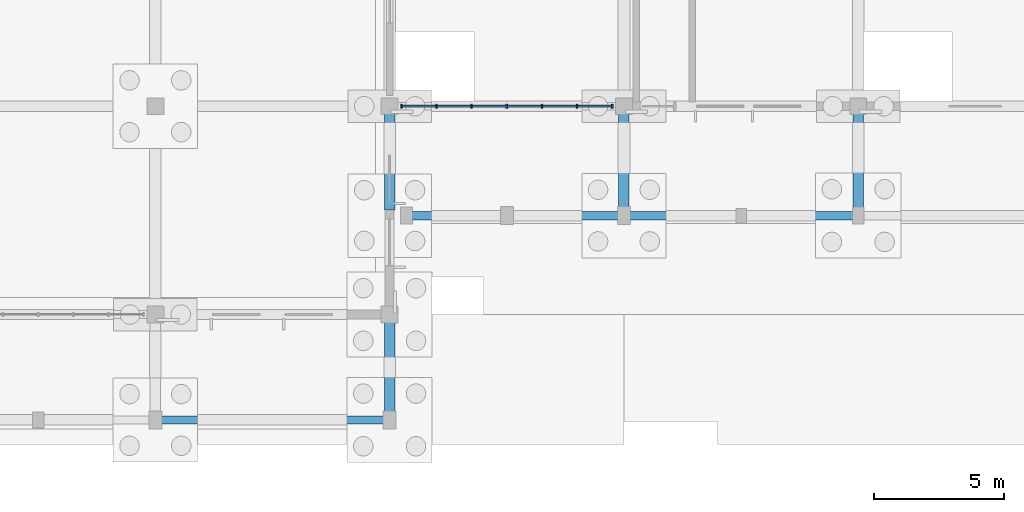
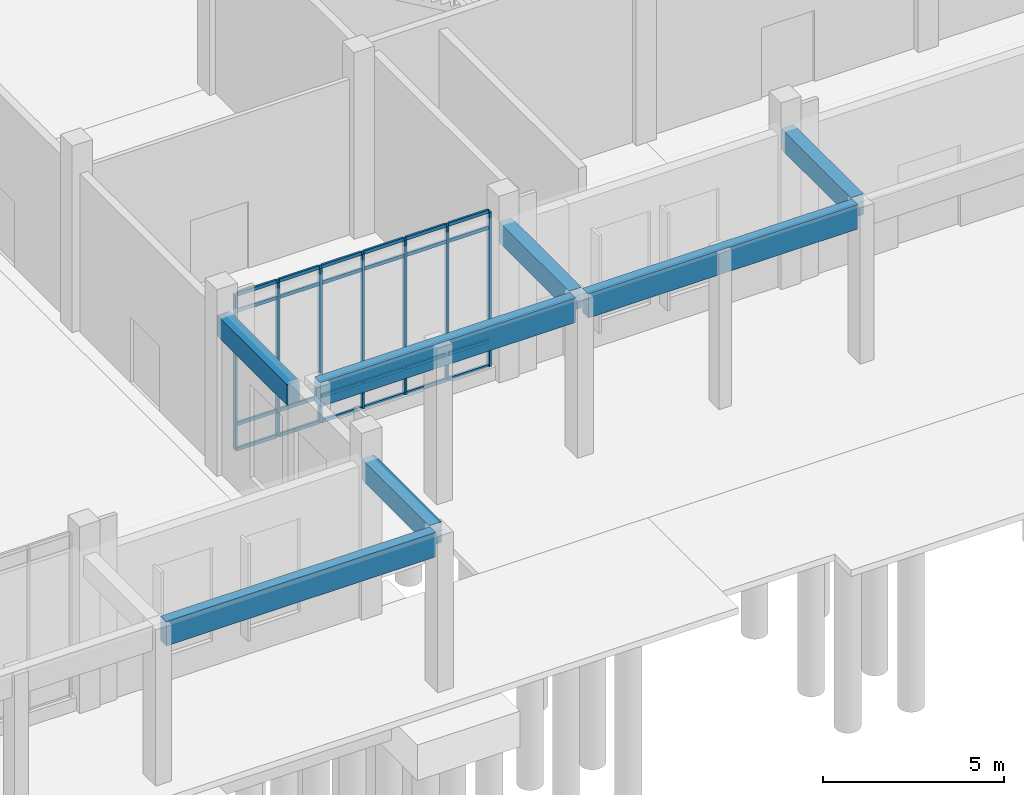
# One storey, part 39 of 99: 31 members, 7 beams, 1 element without a shape of its own.
"""IFC4 building model written with IfcOpenShell, lengths in metres."""

from ifc_helpers import new_model, si_unit, direction, frame, origin, origin_2d, place, context, subcontext, project, spatial, rectangle, extrude, material, layer, layer_set, material_profile, profile_set, type_object, element, aggregate, save


model = new_model("IFC4")

# Units and contexts
model_context = context("Model", 3, precision=1e-05, world=origin(), true_north=direction((0.0, 1.0)))
body_context = subcontext(model_context, "Body", "Model", "MODEL_VIEW")
ifc_project = project(units=[si_unit("LENGTHUNIT", "METRE"), si_unit("AREAUNIT", "SQUARE_METRE"), si_unit("VOLUMEUNIT", "CUBIC_METRE"), si_unit("PLANEANGLEUNIT", "RADIAN"), si_unit("MASSUNIT", "GRAM", prefix="KILO")], contexts=[model_context])

# Site, building, storey
site_placement = place(None, origin())
site = spatial("IfcSite", under=ifc_project, at=site_placement, CompositionType="ELEMENT")
building_placement = place(site_placement, origin())
building = spatial("IfcBuilding", under=site, at=building_placement, Name="Zacnel Wholesale Market", CompositionType="ELEMENT")
storey_placement = place(building_placement, origin())
storey = spatial("IfcBuildingStorey", under=building, at=storey_placement, Name="L01", CompositionType="ELEMENT", Elevation=0.0)

# Beams
ifc_material_1 = material(Name="Precast concrete C45/55", Category="concrete")
ifc_material_profile_1 = material_profile(ifc_material_1, rectangle(XDim=0.39990234375, YDim=0.699951171875, at=origin_2d()), Name="PG 400x700")
ifc_profile_set_1 = profile_set([ifc_material_profile_1], Name="Precast concrete C45/55")
beam_type_1 = type_object("IfcBeamType", Name="BM-PG700", PredefinedType="BEAM", material=ifc_profile_set_1)
beam_1_placement = place(storey_placement, frame((99.0, -3.830078125, 4.925048828125), z_axis=(0.0, 1.0, 0.0), x_axis=(-1.0, 0.0, 0.0)))
element("IfcBeam", 1, at=beam_1_placement, inside=storey, type_object=beam_type_1, Name="Boulevard colonnade cross-beam 06", PredefinedType="BEAM", context=body_context, shape_type="SweptSolid", body=[
    extrude(rectangle(XDim=0.39990234375, YDim=0.699951171875, at=origin_2d()), origin(), (0.0, 0.0, 1.0), 3.7099609375),
])
for number, where, z_axis, x_axis, name in (
    (2, (99.0, 4.02001953125, 4.925048828125), (0.0, 1.0, 0.0), (-1.0, 0.0, 0.0), "Boulevard colonnade cross-beam 01"),
    (3, (108.0, 4.02001953125, 4.925048828125), (0.0, 1.0, 0.0), (-1.0, 0.0, 0.0), "Boulevard colonnade cross-beam 02"),
    (4, (117.0, 4.02001953125, 4.925048828125), (0.0, 1.0, 0.0), (-1.0, 0.0, 0.0), "Boulevard colonnade cross-beam 03"),
):
    element("IfcBeam", number, at=place(storey_placement, frame(where, z_axis=z_axis, x_axis=x_axis)), inside=storey, type_object=beam_type_1, Name=name, PredefinedType="BEAM", context=body_context, shape_type="SweptSolid", body=[
        extrude(rectangle(XDim=0.39990234375, YDim=0.699951171875, at=origin_2d()), origin(), (0.0, 0.0, 1.0), 3.85986328125),
    ])
ifc_material_2 = material(Name="Precast concrete C45/55", Category="concrete")
ifc_material_profile_2 = material_profile(ifc_material_2, rectangle(XDim=0.320068359375, YDim=0.820068359375, at=origin_2d()), Name="SP 320x820")
ifc_profile_set_2 = profile_set([ifc_material_profile_2], Name="Precast concrete C45/55")
beam_type_2 = type_object("IfcBeamType", Name="BM-SP820", PredefinedType="SPANDREL", material=ifc_profile_set_2)
beam_2_placement = place(storey_placement, frame((90.199951171875, -4.050048828125, 4.864990234375), z_axis=(1.0, 0.0, 0.0), x_axis=(0.0, 1.0, 0.0)))
element("IfcBeam", 5, at=beam_2_placement, inside=storey, type_object=beam_type_2, Name="Boulevard colonnade architrave 05", PredefinedType="SPANDREL", context=body_context, shape_type="SweptSolid", body=[
    extrude(rectangle(XDim=0.320068359375, YDim=0.820068359375, at=origin_2d()), origin(), (0.0, 0.0, 1.0), 8.60009765625),
])
beam_3_placement = place(storey_placement, frame((99.64990234375, 3.800048828125, 4.864990234375), z_axis=(1.0, 0.0, 0.0), x_axis=(0.0, 1.0, 0.0)))
element("IfcBeam", 6, at=beam_3_placement, inside=storey, type_object=beam_type_2, Name="Boulevard colonnade architrave 01", PredefinedType="SPANDREL", context=body_context, shape_type="SweptSolid", body=[
    extrude(rectangle(XDim=0.320068359375, YDim=0.820068359375, at=origin_2d()), origin(), (0.0, 0.0, 1.0), 8.150146484375),
])
beam_4_placement = place(storey_placement, frame((108.199951171875, 3.800048828125, 4.864990234375), z_axis=(1.0, 0.0, 0.0), x_axis=(0.0, 1.0, 0.0)))
element("IfcBeam", 7, at=beam_4_placement, inside=storey, type_object=beam_type_2, Name="Boulevard colonnade architrave 02", PredefinedType="SPANDREL", context=body_context, shape_type="SweptSolid", body=[
    extrude(rectangle(XDim=0.320068359375, YDim=0.820068359375, at=origin_2d()), origin(), (0.0, 0.0, 1.0), 8.60009765625),
])

# Curtain wall, members
ifc_material_3 = material(Name="Anodised aluminium", Category="aluminium")
ifc_layer = layer(ifc_material_3, 0.159912109375)
ifc_layer_set = layer_set([ifc_layer], Name="Anodised aluminium")
curtain_wall_type = type_object("IfcCurtainWallType", Name="CW-TERR-3900", PredefinedType="NOTDEFINED", material=ifc_layer_set)
curtain_wall_placement = place(storey_placement, origin())
curtain_wall = element("IfcCurtainWall", 8, at=curtain_wall_placement, inside=storey, type_object=curtain_wall_type, Name="Curtain wall ENV-R2-CW-L01-002", PredefinedType="NOTDEFINED")
ifc_material_4 = material(Name="Anodised aluminium", Category="aluminium")
ifc_material_profile_3 = material_profile(ifc_material_4, rectangle(XDim=0.06494140625, YDim=0.14990234375, at=origin_2d()), Name="AW-MULLION 65x150")
ifc_profile_set_3 = profile_set([ifc_material_profile_3], Name="Anodised aluminium")
member_type_1 = type_object("IfcMemberType", Name="CWM-MUL-05", PredefinedType="MULLION", material=ifc_profile_set_3)
member_1_placement = place(storey_placement, frame((99.449951171875, 8.0, 0.449951171875), z_axis=(0.0, 0.0, 1.0), x_axis=(1.0, 0.0, 0.0)))
member_1 = element("IfcMember", 9, at=member_1_placement, type_object=member_type_1, Name="ENV-R2-CW-L01-002 mullion 01", PredefinedType="MULLION", context=body_context, shape_type="SweptSolid", body=[
    extrude(rectangle(XDim=0.06494140625, YDim=0.14990234375, at=origin_2d()), origin(), (0.0, 0.0, 1.0), 5.219970703125),
])
member_2_placement = place(storey_placement, frame((100.800048828125, 8.0, 0.449951171875), z_axis=(0.0, 0.0, 1.0), x_axis=(1.0, 0.0, 0.0)))
member_2 = element("IfcMember", 10, at=member_2_placement, type_object=member_type_1, Name="ENV-R2-CW-L01-002 mullion 02", PredefinedType="MULLION", context=body_context, shape_type="SweptSolid", body=[
    extrude(rectangle(XDim=0.06494140625, YDim=0.14990234375, at=origin_2d()), origin(), (0.0, 0.0, 1.0), 5.219970703125),
])
member_3_placement = place(storey_placement, frame((102.14990234375, 8.0, 0.449951171875), z_axis=(0.0, 0.0, 1.0), x_axis=(1.0, 0.0, 0.0)))
member_3 = element("IfcMember", 11, at=member_3_placement, type_object=member_type_1, Name="ENV-R2-CW-L01-002 mullion 03", PredefinedType="MULLION", context=body_context, shape_type="SweptSolid", body=[
    extrude(rectangle(XDim=0.06494140625, YDim=0.14990234375, at=origin_2d()), origin(), (0.0, 0.0, 1.0), 5.219970703125),
])
member_4_placement = place(storey_placement, frame((103.5, 8.0, 0.449951171875), z_axis=(0.0, 0.0, 1.0), x_axis=(1.0, 0.0, 0.0)))
member_4 = element("IfcMember", 12, at=member_4_placement, type_object=member_type_1, Name="ENV-R2-CW-L01-002 mullion 04", PredefinedType="MULLION", context=body_context, shape_type="SweptSolid", body=[
    extrude(rectangle(XDim=0.06494140625, YDim=0.14990234375, at=origin_2d()), origin(), (0.0, 0.0, 1.0), 5.219970703125),
])
member_5_placement = place(storey_placement, frame((104.85009765625, 8.0, 0.449951171875), z_axis=(0.0, 0.0, 1.0), x_axis=(1.0, 0.0, 0.0)))
member_5 = element("IfcMember", 13, at=member_5_placement, type_object=member_type_1, Name="ENV-R2-CW-L01-002 mullion 05", PredefinedType="MULLION", context=body_context, shape_type="SweptSolid", body=[
    extrude(rectangle(XDim=0.06494140625, YDim=0.14990234375, at=origin_2d()), origin(), (0.0, 0.0, 1.0), 5.219970703125),
])
member_6_placement = place(storey_placement, frame((106.199951171875, 8.0, 0.449951171875), z_axis=(0.0, 0.0, 1.0), x_axis=(1.0, 0.0, 0.0)))
member_6 = element("IfcMember", 14, at=member_6_placement, type_object=member_type_1, Name="ENV-R2-CW-L01-002 mullion 06", PredefinedType="MULLION", context=body_context, shape_type="SweptSolid", body=[
    extrude(rectangle(XDim=0.06494140625, YDim=0.14990234375, at=origin_2d()), origin(), (0.0, 0.0, 1.0), 5.219970703125),
])
member_7_placement = place(storey_placement, frame((107.550048828125, 8.0, 0.449951171875), z_axis=(0.0, 0.0, 1.0), x_axis=(1.0, 0.0, 0.0)))
member_7 = element("IfcMember", 15, at=member_7_placement, type_object=member_type_1, Name="ENV-R2-CW-L01-002 mullion 07", PredefinedType="MULLION", context=body_context, shape_type="SweptSolid", body=[
    extrude(rectangle(XDim=0.06494140625, YDim=0.14990234375, at=origin_2d()), origin(), (0.0, 0.0, 1.0), 5.219970703125),
])
ifc_material_5 = material(Name="Anodised aluminium", Category="aluminium")
ifc_material_profile_4 = material_profile(ifc_material_5, rectangle(XDim=0.06494140625, YDim=0.114990234375, at=origin_2d()), Name="AW-TRANSOM 65x115")
ifc_profile_set_4 = profile_set([ifc_material_profile_4], Name="Anodised aluminium")
member_type_2 = type_object("IfcMemberType", Name="CWM-TRN-05", PredefinedType="USERDEFINED", material=ifc_profile_set_4)
member_8_placement = place(storey_placement, frame((99.485107421875, 8.0, 0.449951171875), z_axis=(1.0, 0.0, 0.0), x_axis=(0.0, 1.0, 0.0)))
member_8 = element("IfcMember", 16, at=member_8_placement, type_object=member_type_2, Name="ENV-R2-CW-L01-002 transom 1-1", ObjectType="TRANSOM", PredefinedType="USERDEFINED", context=body_context, shape_type="SweptSolid", body=[
    extrude(rectangle(XDim=0.06494140625, YDim=0.114990234375, at=origin_2d()), origin(), (0.0, 0.0, 1.0), 1.27978515625),
])
member_9_placement = place(storey_placement, frame((99.485107421875, 8.0, 1.300048828125), z_axis=(1.0, 0.0, 0.0), x_axis=(0.0, 1.0, 0.0)))
member_9 = element("IfcMember", 17, at=member_9_placement, type_object=member_type_2, Name="ENV-R2-CW-L01-002 transom 1-2", ObjectType="TRANSOM", PredefinedType="USERDEFINED", context=body_context, shape_type="SweptSolid", body=[
    extrude(rectangle(XDim=0.06494140625, YDim=0.114990234375, at=origin_2d()), origin(), (0.0, 0.0, 1.0), 1.27978515625),
])
member_10_placement = place(storey_placement, frame((99.485107421875, 8.0, 5.1201171875), z_axis=(1.0, 0.0, 0.0), x_axis=(0.0, 1.0, 0.0)))
member_10 = element("IfcMember", 18, at=member_10_placement, type_object=member_type_2, Name="ENV-R2-CW-L01-002 transom 1-3", ObjectType="TRANSOM", PredefinedType="USERDEFINED", context=body_context, shape_type="SweptSolid", body=[
    extrude(rectangle(XDim=0.06494140625, YDim=0.114990234375, at=origin_2d()), origin(), (0.0, 0.0, 1.0), 1.27978515625),
])
member_11_placement = place(storey_placement, frame((99.485107421875, 8.0, 5.669921875), z_axis=(1.0, 0.0, 0.0), x_axis=(0.0, 1.0, 0.0)))
member_11 = element("IfcMember", 19, at=member_11_placement, type_object=member_type_2, Name="ENV-R2-CW-L01-002 transom 1-4", ObjectType="TRANSOM", PredefinedType="USERDEFINED", context=body_context, shape_type="SweptSolid", body=[
    extrude(rectangle(XDim=0.06494140625, YDim=0.114990234375, at=origin_2d()), origin(), (0.0, 0.0, 1.0), 1.27978515625),
])
member_12_placement = place(storey_placement, frame((100.8349609375, 8.0, 0.449951171875), z_axis=(1.0, 0.0, 0.0), x_axis=(0.0, 1.0, 0.0)))
member_12 = element("IfcMember", 20, at=member_12_placement, type_object=member_type_2, Name="ENV-R2-CW-L01-002 transom 2-1", ObjectType="TRANSOM", PredefinedType="USERDEFINED", context=body_context, shape_type="SweptSolid", body=[
    extrude(rectangle(XDim=0.06494140625, YDim=0.114990234375, at=origin_2d()), origin(), (0.0, 0.0, 1.0), 1.280029296875),
])
member_13_placement = place(storey_placement, frame((100.8349609375, 8.0, 1.300048828125), z_axis=(1.0, 0.0, 0.0), x_axis=(0.0, 1.0, 0.0)))
member_13 = element("IfcMember", 21, at=member_13_placement, type_object=member_type_2, Name="ENV-R2-CW-L01-002 transom 2-2", ObjectType="TRANSOM", PredefinedType="USERDEFINED", context=body_context, shape_type="SweptSolid", body=[
    extrude(rectangle(XDim=0.06494140625, YDim=0.114990234375, at=origin_2d()), origin(), (0.0, 0.0, 1.0), 1.280029296875),
])
member_14_placement = place(storey_placement, frame((100.8349609375, 8.0, 5.1201171875), z_axis=(1.0, 0.0, 0.0), x_axis=(0.0, 1.0, 0.0)))
member_14 = element("IfcMember", 22, at=member_14_placement, type_object=member_type_2, Name="ENV-R2-CW-L01-002 transom 2-3", ObjectType="TRANSOM", PredefinedType="USERDEFINED", context=body_context, shape_type="SweptSolid", body=[
    extrude(rectangle(XDim=0.06494140625, YDim=0.114990234375, at=origin_2d()), origin(), (0.0, 0.0, 1.0), 1.280029296875),
])
member_15_placement = place(storey_placement, frame((100.8349609375, 8.0, 5.669921875), z_axis=(1.0, 0.0, 0.0), x_axis=(0.0, 1.0, 0.0)))
member_15 = element("IfcMember", 23, at=member_15_placement, type_object=member_type_2, Name="ENV-R2-CW-L01-002 transom 2-4", ObjectType="TRANSOM", PredefinedType="USERDEFINED", context=body_context, shape_type="SweptSolid", body=[
    extrude(rectangle(XDim=0.06494140625, YDim=0.114990234375, at=origin_2d()), origin(), (0.0, 0.0, 1.0), 1.280029296875),
])
member_16_placement = place(storey_placement, frame((102.18505859375, 8.0, 0.449951171875), z_axis=(1.0, 0.0, 0.0), x_axis=(0.0, 1.0, 0.0)))
member_16 = element("IfcMember", 24, at=member_16_placement, type_object=member_type_2, Name="ENV-R2-CW-L01-002 transom 3-1", ObjectType="TRANSOM", PredefinedType="USERDEFINED", context=body_context, shape_type="SweptSolid", body=[
    extrude(rectangle(XDim=0.06494140625, YDim=0.114990234375, at=origin_2d()), origin(), (0.0, 0.0, 1.0), 1.280029296875),
])
member_17_placement = place(storey_placement, frame((102.18505859375, 8.0, 1.300048828125), z_axis=(1.0, 0.0, 0.0), x_axis=(0.0, 1.0, 0.0)))
member_17 = element("IfcMember", 25, at=member_17_placement, type_object=member_type_2, Name="ENV-R2-CW-L01-002 transom 3-2", ObjectType="TRANSOM", PredefinedType="USERDEFINED", context=body_context, shape_type="SweptSolid", body=[
    extrude(rectangle(XDim=0.06494140625, YDim=0.114990234375, at=origin_2d()), origin(), (0.0, 0.0, 1.0), 1.280029296875),
])
member_18_placement = place(storey_placement, frame((102.18505859375, 8.0, 5.1201171875), z_axis=(1.0, 0.0, 0.0), x_axis=(0.0, 1.0, 0.0)))
member_18 = element("IfcMember", 26, at=member_18_placement, type_object=member_type_2, Name="ENV-R2-CW-L01-002 transom 3-3", ObjectType="TRANSOM", PredefinedType="USERDEFINED", context=body_context, shape_type="SweptSolid", body=[
    extrude(rectangle(XDim=0.06494140625, YDim=0.114990234375, at=origin_2d()), origin(), (0.0, 0.0, 1.0), 1.280029296875),
])
member_19_placement = place(storey_placement, frame((102.18505859375, 8.0, 5.669921875), z_axis=(1.0, 0.0, 0.0), x_axis=(0.0, 1.0, 0.0)))
member_19 = element("IfcMember", 27, at=member_19_placement, type_object=member_type_2, Name="ENV-R2-CW-L01-002 transom 3-4", ObjectType="TRANSOM", PredefinedType="USERDEFINED", context=body_context, shape_type="SweptSolid", body=[
    extrude(rectangle(XDim=0.06494140625, YDim=0.114990234375, at=origin_2d()), origin(), (0.0, 0.0, 1.0), 1.280029296875),
])
member_20_placement = place(storey_placement, frame((103.534912109375, 8.0, 0.449951171875), z_axis=(1.0, 0.0, 0.0), x_axis=(0.0, 1.0, 0.0)))
member_20 = element("IfcMember", 28, at=member_20_placement, type_object=member_type_2, Name="ENV-R2-CW-L01-002 transom 4-1", ObjectType="TRANSOM", PredefinedType="USERDEFINED", context=body_context, shape_type="SweptSolid", body=[
    extrude(rectangle(XDim=0.06494140625, YDim=0.114990234375, at=origin_2d()), origin(), (0.0, 0.0, 1.0), 1.280029296875),
])
member_21_placement = place(storey_placement, frame((103.534912109375, 8.0, 1.300048828125), z_axis=(1.0, 0.0, 0.0), x_axis=(0.0, 1.0, 0.0)))
member_21 = element("IfcMember", 29, at=member_21_placement, type_object=member_type_2, Name="ENV-R2-CW-L01-002 transom 4-2", ObjectType="TRANSOM", PredefinedType="USERDEFINED", context=body_context, shape_type="SweptSolid", body=[
    extrude(rectangle(XDim=0.06494140625, YDim=0.114990234375, at=origin_2d()), origin(), (0.0, 0.0, 1.0), 1.280029296875),
])
member_22_placement = place(storey_placement, frame((103.534912109375, 8.0, 5.1201171875), z_axis=(1.0, 0.0, 0.0), x_axis=(0.0, 1.0, 0.0)))
member_22 = element("IfcMember", 30, at=member_22_placement, type_object=member_type_2, Name="ENV-R2-CW-L01-002 transom 4-3", ObjectType="TRANSOM", PredefinedType="USERDEFINED", context=body_context, shape_type="SweptSolid", body=[
    extrude(rectangle(XDim=0.06494140625, YDim=0.114990234375, at=origin_2d()), origin(), (0.0, 0.0, 1.0), 1.280029296875),
])
member_23_placement = place(storey_placement, frame((103.534912109375, 8.0, 5.669921875), z_axis=(1.0, 0.0, 0.0), x_axis=(0.0, 1.0, 0.0)))
member_23 = element("IfcMember", 31, at=member_23_placement, type_object=member_type_2, Name="ENV-R2-CW-L01-002 transom 4-4", ObjectType="TRANSOM", PredefinedType="USERDEFINED", context=body_context, shape_type="SweptSolid", body=[
    extrude(rectangle(XDim=0.06494140625, YDim=0.114990234375, at=origin_2d()), origin(), (0.0, 0.0, 1.0), 1.280029296875),
])
member_24_placement = place(storey_placement, frame((104.885009765625, 8.0, 0.449951171875), z_axis=(1.0, 0.0, 0.0), x_axis=(0.0, 1.0, 0.0)))
member_24 = element("IfcMember", 32, at=member_24_placement, type_object=member_type_2, Name="ENV-R2-CW-L01-002 transom 5-1", ObjectType="TRANSOM", PredefinedType="USERDEFINED", context=body_context, shape_type="SweptSolid", body=[
    extrude(rectangle(XDim=0.06494140625, YDim=0.114990234375, at=origin_2d()), origin(), (0.0, 0.0, 1.0), 1.280029296875),
])
member_25_placement = place(storey_placement, frame((104.885009765625, 8.0, 1.300048828125), z_axis=(1.0, 0.0, 0.0), x_axis=(0.0, 1.0, 0.0)))
member_25 = element("IfcMember", 33, at=member_25_placement, type_object=member_type_2, Name="ENV-R2-CW-L01-002 transom 5-2", ObjectType="TRANSOM", PredefinedType="USERDEFINED", context=body_context, shape_type="SweptSolid", body=[
    extrude(rectangle(XDim=0.06494140625, YDim=0.114990234375, at=origin_2d()), origin(), (0.0, 0.0, 1.0), 1.280029296875),
])
member_26_placement = place(storey_placement, frame((104.885009765625, 8.0, 5.1201171875), z_axis=(1.0, 0.0, 0.0), x_axis=(0.0, 1.0, 0.0)))
member_26 = element("IfcMember", 34, at=member_26_placement, type_object=member_type_2, Name="ENV-R2-CW-L01-002 transom 5-3", ObjectType="TRANSOM", PredefinedType="USERDEFINED", context=body_context, shape_type="SweptSolid", body=[
    extrude(rectangle(XDim=0.06494140625, YDim=0.114990234375, at=origin_2d()), origin(), (0.0, 0.0, 1.0), 1.280029296875),
])
member_27_placement = place(storey_placement, frame((104.885009765625, 8.0, 5.669921875), z_axis=(1.0, 0.0, 0.0), x_axis=(0.0, 1.0, 0.0)))
member_27 = element("IfcMember", 35, at=member_27_placement, type_object=member_type_2, Name="ENV-R2-CW-L01-002 transom 5-4", ObjectType="TRANSOM", PredefinedType="USERDEFINED", context=body_context, shape_type="SweptSolid", body=[
    extrude(rectangle(XDim=0.06494140625, YDim=0.114990234375, at=origin_2d()), origin(), (0.0, 0.0, 1.0), 1.280029296875),
])
member_28_placement = place(storey_placement, frame((106.235107421875, 8.0, 0.449951171875), z_axis=(1.0, 0.0, 0.0), x_axis=(0.0, 1.0, 0.0)))
member_28 = element("IfcMember", 36, at=member_28_placement, type_object=member_type_2, Name="ENV-R2-CW-L01-002 transom 6-1", ObjectType="TRANSOM", PredefinedType="USERDEFINED", context=body_context, shape_type="SweptSolid", body=[
    extrude(rectangle(XDim=0.06494140625, YDim=0.114990234375, at=origin_2d()), origin(), (0.0, 0.0, 1.0), 1.27978515625),
])
member_29_placement = place(storey_placement, frame((106.235107421875, 8.0, 1.300048828125), z_axis=(1.0, 0.0, 0.0), x_axis=(0.0, 1.0, 0.0)))
member_29 = element("IfcMember", 37, at=member_29_placement, type_object=member_type_2, Name="ENV-R2-CW-L01-002 transom 6-2", ObjectType="TRANSOM", PredefinedType="USERDEFINED", context=body_context, shape_type="SweptSolid", body=[
    extrude(rectangle(XDim=0.06494140625, YDim=0.114990234375, at=origin_2d()), origin(), (0.0, 0.0, 1.0), 1.27978515625),
])
member_30_placement = place(storey_placement, frame((106.235107421875, 8.0, 5.1201171875), z_axis=(1.0, 0.0, 0.0), x_axis=(0.0, 1.0, 0.0)))
member_30 = element("IfcMember", 38, at=member_30_placement, type_object=member_type_2, Name="ENV-R2-CW-L01-002 transom 6-3", ObjectType="TRANSOM", PredefinedType="USERDEFINED", context=body_context, shape_type="SweptSolid", body=[
    extrude(rectangle(XDim=0.06494140625, YDim=0.114990234375, at=origin_2d()), origin(), (0.0, 0.0, 1.0), 1.27978515625),
])
member_31_placement = place(storey_placement, frame((106.235107421875, 8.0, 5.669921875), z_axis=(1.0, 0.0, 0.0), x_axis=(0.0, 1.0, 0.0)))
member_31 = element("IfcMember", 39, at=member_31_placement, type_object=member_type_2, Name="ENV-R2-CW-L01-002 transom 6-4", ObjectType="TRANSOM", PredefinedType="USERDEFINED", context=body_context, shape_type="SweptSolid", body=[
    extrude(rectangle(XDim=0.06494140625, YDim=0.114990234375, at=origin_2d()), origin(), (0.0, 0.0, 1.0), 1.27978515625),
])
aggregate(curtain_wall, [member_1, member_2, member_3, member_4, member_5, member_6, member_7, member_8, member_9, member_10, member_11, member_12, member_13, member_14, member_15, member_16, member_17, member_18, member_19, member_20, member_21, member_22, member_23, member_24, member_25, member_26, member_27, member_28, member_29, member_30, member_31])

save(model, "model.ifc")
